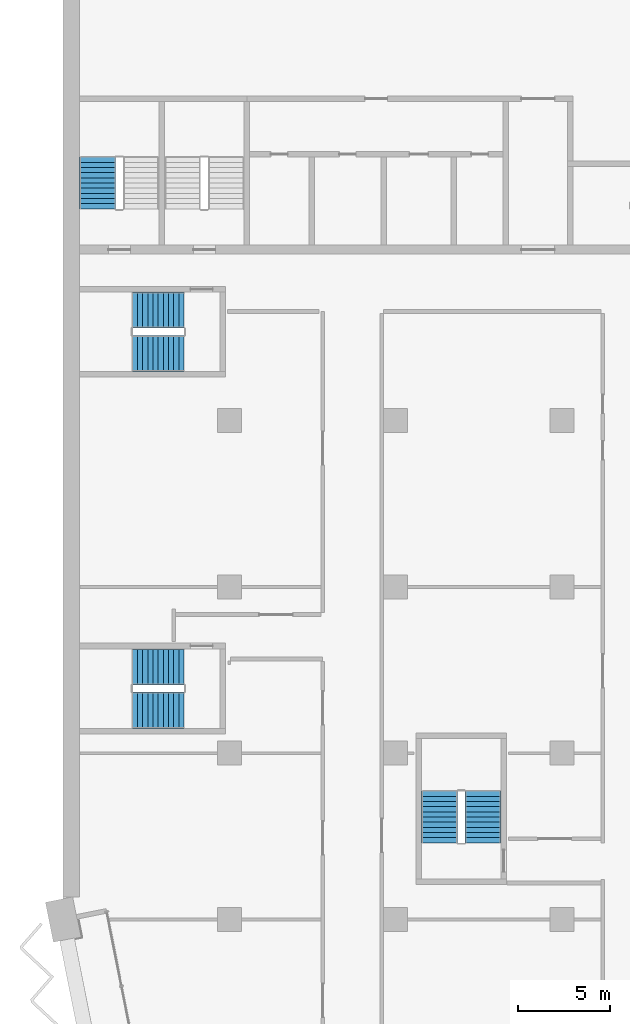
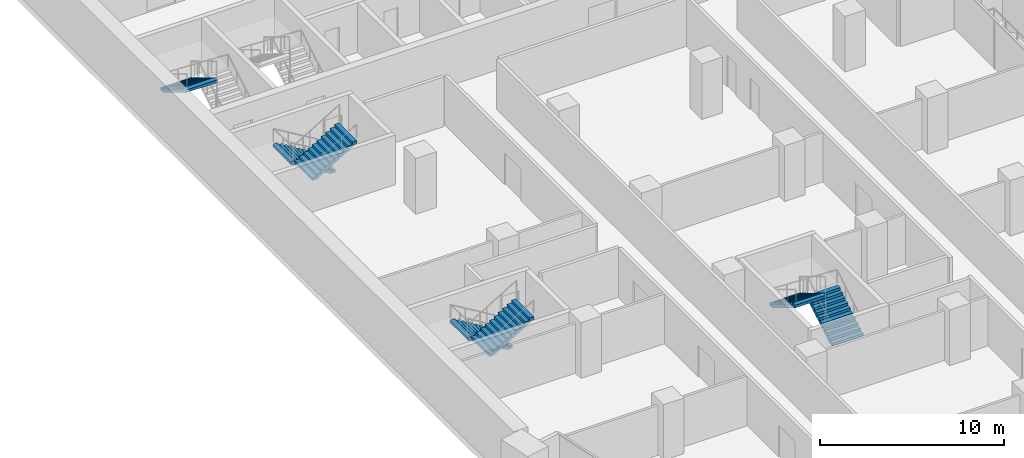
# One storey, part 15 of 22: 7 stair flights, 4 elements without a shape of their own.
"""IFC4 building model written with IfcOpenShell, lengths in metres."""

from ifc_helpers import new_model, si_unit, direction, frame, origin, place, context, subcontext, project, spatial, polyline, outline, extrude, material, type_object, element, aggregate, save


model = new_model("IFC4")

# Units and contexts
model_context = context("Model", 3, precision=1e-05, world=origin(), true_north=direction((0.0, 1.0)))
body_context = subcontext(model_context, "Body", "Model", "MODEL_VIEW")
ifc_project = project(units=[si_unit("LENGTHUNIT", "METRE"), si_unit("AREAUNIT", "SQUARE_METRE"), si_unit("VOLUMEUNIT", "CUBIC_METRE"), si_unit("PLANEANGLEUNIT", "RADIAN"), si_unit("MASSUNIT", "GRAM", prefix="KILO")], contexts=[model_context])

# Site, building, storey
site_placement = place(None, origin())
site = spatial("IfcSite", under=ifc_project, at=site_placement, CompositionType="ELEMENT")
building_placement = place(site_placement, origin())
building = spatial("IfcBuilding", under=site, at=building_placement, Name="Hunhe Ridgeline Campus", CompositionType="ELEMENT")
storey_placement = place(building_placement, frame((0.0, 0.0, 114.39990234375)))
storey = spatial("IfcBuildingStorey", under=building, at=storey_placement, Name="L28", CompositionType="ELEMENT", Elevation=114.39990234375)

# Stair, stair flight
ifc_material = material(Name="Concrete C40", Category="concrete")
stair_type = type_object("IfcStairType", Name="Reinforced concrete dog-leg stair 1950 Concrete C40", PredefinedType="HALF_TURN_STAIR", material=ifc_material)
stair_1_placement = place(storey_placement, origin())
stair_1 = element("IfcStair", 1, at=stair_1_placement, inside=storey, type_object=stair_type, Name="L28 S3", PredefinedType="HALF_TURN_STAIR")
stair_flight_type = type_object("IfcStairFlightType", Name="Reinforced concrete stair flight 1950 Concrete C40", PredefinedType="STRAIGHT", material=ifc_material)
stair_flight_1_placement = place(storey_placement, frame((1.875, 68.25, 1.85009765625), z_axis=(0.0, 0.0, 1.0), x_axis=(0.0, -1.0, 0.0)))
stair_flight_1 = element("IfcStairFlight", 2, at=stair_flight_1_placement, type_object=stair_flight_type, Name="ST3 flight 2", NumberOfRisers=11, NumberOfTreads=10, PredefinedType="STRAIGHT", RiserHeight=0.168181818, TreadLength=0.28, context=body_context, shape_type="SweptSolid", body=[
    extrude(outline(polyline([(0.0, 0.0), (0.0, 0.168212890625), (0.280029296875, 0.168212890625), (0.280029296875, 0.33642578125), (0.56005859375, 0.33642578125), (0.56005859375, 0.504638671875), (0.840087890625, 0.504638671875), (0.840087890625, 0.672607421875), (1.1201171875, 0.672607421875), (1.1201171875, 0.8408203125), (1.39990234375, 0.8408203125), (1.39990234375, 1.009033203125), (1.679931640625, 1.009033203125), (1.679931640625, 1.17724609375), (1.9599609375, 1.17724609375), (1.9599609375, 1.345458984375), (2.239990234375, 1.345458984375), (2.239990234375, 1.513671875), (2.52001953125, 1.513671875), (2.52001953125, 1.681884765625), (2.800048828125, 1.681884765625), (2.800048828125, 1.85009765625), (2.800048828125, 1.5068359375), (0.291015625, 0.0), (0.0, 0.0)])), frame((0.0, 0.97509765625, 0.0), z_axis=(0.0, -1.0, 0.0), x_axis=(1.0, 0.0, 0.0)), (0.0, 0.0, 1.0), 1.949951171875),
    extrude(outline(polyline([(0.030029296875, 0.030029296875), (0.030029296875, 0.13818359375), (0.31005859375, 0.13818359375), (0.31005859375, 0.306396484375), (0.590087890625, 0.306396484375), (0.590087890625, 0.474609375), (0.8701171875, 0.474609375), (0.8701171875, 0.642578125), (1.14990234375, 0.642578125), (1.14990234375, 0.810791015625), (1.429931640625, 0.810791015625), (1.429931640625, 0.97900390625), (1.7099609375, 0.97900390625), (1.7099609375, 1.147216796875), (1.989990234375, 1.147216796875), (1.989990234375, 1.3154296875), (2.27001953125, 1.3154296875), (2.27001953125, 1.483642578125), (2.550048828125, 1.483642578125), (2.550048828125, 1.65185546875), (2.77001953125, 1.65185546875), (2.77001953125, 1.52392578125), (0.28271484375, 0.030029296875), (0.030029296875, 0.030029296875)])), frame((0.0, -0.070068359375, 0.0), z_axis=(0.0, -1.0, 0.0), x_axis=(1.0, 0.0, 0.0)), (0.0, 0.0, 1.0), 0.019775390625),
    extrude(outline(polyline([(0.030029296875, 0.030029296875), (0.030029296875, 0.13818359375), (0.31005859375, 0.13818359375), (0.31005859375, 0.306396484375), (0.590087890625, 0.306396484375), (0.590087890625, 0.474609375), (0.8701171875, 0.474609375), (0.8701171875, 0.642578125), (1.14990234375, 0.642578125), (1.14990234375, 0.810791015625), (1.429931640625, 0.810791015625), (1.429931640625, 0.97900390625), (1.7099609375, 0.97900390625), (1.7099609375, 1.147216796875), (1.989990234375, 1.147216796875), (1.989990234375, 1.3154296875), (2.27001953125, 1.3154296875), (2.27001953125, 1.483642578125), (2.550048828125, 1.483642578125), (2.550048828125, 1.65185546875), (2.77001953125, 1.65185546875), (2.77001953125, 1.52392578125), (0.28271484375, 0.030029296875), (0.030029296875, 0.030029296875)])), frame((0.0, 0.010009765625, 0.0), z_axis=(0.0, -1.0, 0.0), x_axis=(1.0, 0.0, 0.0)), (0.0, 0.0, 1.0), 0.019775390625),
    extrude(outline(polyline([(0.030029296875, 0.030029296875), (0.030029296875, 0.13818359375), (0.31005859375, 0.13818359375), (0.31005859375, 0.306396484375), (0.590087890625, 0.306396484375), (0.590087890625, 0.474609375), (0.8701171875, 0.474609375), (0.8701171875, 0.642578125), (1.14990234375, 0.642578125), (1.14990234375, 0.810791015625), (1.429931640625, 0.810791015625), (1.429931640625, 0.97900390625), (1.7099609375, 0.97900390625), (1.7099609375, 1.147216796875), (1.989990234375, 1.147216796875), (1.989990234375, 1.3154296875), (2.27001953125, 1.3154296875), (2.27001953125, 1.483642578125), (2.550048828125, 1.483642578125), (2.550048828125, 1.65185546875), (2.77001953125, 1.65185546875), (2.77001953125, 1.52392578125), (0.28271484375, 0.030029296875), (0.030029296875, 0.030029296875)])), frame((0.0, 0.090087890625, 0.0), z_axis=(0.0, -1.0, 0.0), x_axis=(1.0, 0.0, 0.0)), (0.0, 0.0, 1.0), 0.019775390625),
])
aggregate(stair_1, [stair_flight_1])

# Stair, stair flights
stair_2_placement = place(storey_placement, origin())
stair_2 = element("IfcStair", 3, at=stair_2_placement, inside=storey, type_object=stair_type, Name="L28 W3", PredefinedType="HALF_TURN_STAIR")
stair_flight_2_placement = place(storey_placement, frame((22.72509765625, 31.14990234375, 0.0), z_axis=(0.0, 0.0, 1.0), x_axis=(0.0, 1.0, 0.0)))
stair_flight_2 = element("IfcStairFlight", 4, at=stair_flight_2_placement, type_object=stair_flight_type, Name="ST9 flight 1", NumberOfRisers=11, NumberOfTreads=10, PredefinedType="STRAIGHT", RiserHeight=0.168181818, TreadLength=0.28, context=body_context, shape_type="SweptSolid", body=[
    extrude(outline(polyline([(0.0, 0.0), (0.0, 0.168212890625), (0.280029296875, 0.168212890625), (0.280029296875, 0.33642578125), (0.56005859375, 0.33642578125), (0.56005859375, 0.504638671875), (0.840087890625, 0.504638671875), (0.840087890625, 0.672607421875), (1.1201171875, 0.672607421875), (1.1201171875, 0.8408203125), (1.39990234375, 0.8408203125), (1.39990234375, 1.009033203125), (1.679931640625, 1.009033203125), (1.679931640625, 1.17724609375), (1.9599609375, 1.17724609375), (1.9599609375, 1.345458984375), (2.239990234375, 1.345458984375), (2.239990234375, 1.513671875), (2.52001953125, 1.513671875), (2.52001953125, 1.681884765625), (2.800048828125, 1.681884765625), (2.800048828125, 1.85009765625), (2.800048828125, 1.5068359375), (0.291015625, 0.0), (0.0, 0.0)])), frame((0.0, 0.97509765625, 0.0), z_axis=(0.0, -1.0, 0.0), x_axis=(1.0, 0.0, 0.0)), (0.0, 0.0, 1.0), 1.949951171875),
    extrude(outline(polyline([(0.030029296875, 0.030029296875), (0.030029296875, 0.13818359375), (0.31005859375, 0.13818359375), (0.31005859375, 0.306396484375), (0.590087890625, 0.306396484375), (0.590087890625, 0.474609375), (0.8701171875, 0.474609375), (0.8701171875, 0.642578125), (1.14990234375, 0.642578125), (1.14990234375, 0.810791015625), (1.429931640625, 0.810791015625), (1.429931640625, 0.97900390625), (1.7099609375, 0.97900390625), (1.7099609375, 1.147216796875), (1.989990234375, 1.147216796875), (1.989990234375, 1.3154296875), (2.27001953125, 1.3154296875), (2.27001953125, 1.483642578125), (2.550048828125, 1.483642578125), (2.550048828125, 1.65185546875), (2.77001953125, 1.65185546875), (2.77001953125, 1.52392578125), (0.28271484375, 0.030029296875), (0.030029296875, 0.030029296875)])), frame((0.0, -0.070068359375, 0.0), z_axis=(0.0, -1.0, 0.0), x_axis=(1.0, 0.0, 0.0)), (0.0, 0.0, 1.0), 0.019775390625),
    extrude(outline(polyline([(0.030029296875, 0.030029296875), (0.030029296875, 0.13818359375), (0.31005859375, 0.13818359375), (0.31005859375, 0.306396484375), (0.590087890625, 0.306396484375), (0.590087890625, 0.474609375), (0.8701171875, 0.474609375), (0.8701171875, 0.642578125), (1.14990234375, 0.642578125), (1.14990234375, 0.810791015625), (1.429931640625, 0.810791015625), (1.429931640625, 0.97900390625), (1.7099609375, 0.97900390625), (1.7099609375, 1.147216796875), (1.989990234375, 1.147216796875), (1.989990234375, 1.3154296875), (2.27001953125, 1.3154296875), (2.27001953125, 1.483642578125), (2.550048828125, 1.483642578125), (2.550048828125, 1.65185546875), (2.77001953125, 1.65185546875), (2.77001953125, 1.52392578125), (0.28271484375, 0.030029296875), (0.030029296875, 0.030029296875)])), frame((0.0, 0.010009765625, 0.0), z_axis=(0.0, -1.0, 0.0), x_axis=(1.0, 0.0, 0.0)), (0.0, 0.0, 1.0), 0.019775390625),
    extrude(outline(polyline([(0.030029296875, 0.030029296875), (0.030029296875, 0.13818359375), (0.31005859375, 0.13818359375), (0.31005859375, 0.306396484375), (0.590087890625, 0.306396484375), (0.590087890625, 0.474609375), (0.8701171875, 0.474609375), (0.8701171875, 0.642578125), (1.14990234375, 0.642578125), (1.14990234375, 0.810791015625), (1.429931640625, 0.810791015625), (1.429931640625, 0.97900390625), (1.7099609375, 0.97900390625), (1.7099609375, 1.147216796875), (1.989990234375, 1.147216796875), (1.989990234375, 1.3154296875), (2.27001953125, 1.3154296875), (2.27001953125, 1.483642578125), (2.550048828125, 1.483642578125), (2.550048828125, 1.65185546875), (2.77001953125, 1.65185546875), (2.77001953125, 1.52392578125), (0.28271484375, 0.030029296875), (0.030029296875, 0.030029296875)])), frame((0.0, 0.090087890625, 0.0), z_axis=(0.0, -1.0, 0.0), x_axis=(1.0, 0.0, 0.0)), (0.0, 0.0, 1.0), 0.019775390625),
])
stair_flight_3_placement = place(storey_placement, frame((20.375, 33.949951171875, 1.85009765625), z_axis=(0.0, 0.0, 1.0), x_axis=(0.0, -1.0, 0.0)))
stair_flight_3 = element("IfcStairFlight", 5, at=stair_flight_3_placement, type_object=stair_flight_type, Name="ST9 flight 2", NumberOfRisers=11, NumberOfTreads=10, PredefinedType="STRAIGHT", RiserHeight=0.168181818, TreadLength=0.28, context=body_context, shape_type="SweptSolid", body=[
    extrude(outline(polyline([(0.0, 0.0), (0.0, 0.168212890625), (0.280029296875, 0.168212890625), (0.280029296875, 0.33642578125), (0.56005859375, 0.33642578125), (0.56005859375, 0.504638671875), (0.840087890625, 0.504638671875), (0.840087890625, 0.672607421875), (1.1201171875, 0.672607421875), (1.1201171875, 0.8408203125), (1.39990234375, 0.8408203125), (1.39990234375, 1.009033203125), (1.679931640625, 1.009033203125), (1.679931640625, 1.17724609375), (1.9599609375, 1.17724609375), (1.9599609375, 1.345458984375), (2.239990234375, 1.345458984375), (2.239990234375, 1.513671875), (2.52001953125, 1.513671875), (2.52001953125, 1.681884765625), (2.800048828125, 1.681884765625), (2.800048828125, 1.85009765625), (2.800048828125, 1.5068359375), (0.291015625, 0.0), (0.0, 0.0)])), frame((0.0, 0.97509765625, 0.0), z_axis=(0.0, -1.0, 0.0), x_axis=(1.0, 0.0, 0.0)), (0.0, 0.0, 1.0), 1.949951171875),
    extrude(outline(polyline([(0.030029296875, 0.030029296875), (0.030029296875, 0.13818359375), (0.31005859375, 0.13818359375), (0.31005859375, 0.306396484375), (0.590087890625, 0.306396484375), (0.590087890625, 0.474609375), (0.8701171875, 0.474609375), (0.8701171875, 0.642578125), (1.14990234375, 0.642578125), (1.14990234375, 0.810791015625), (1.429931640625, 0.810791015625), (1.429931640625, 0.97900390625), (1.7099609375, 0.97900390625), (1.7099609375, 1.147216796875), (1.989990234375, 1.147216796875), (1.989990234375, 1.3154296875), (2.27001953125, 1.3154296875), (2.27001953125, 1.483642578125), (2.550048828125, 1.483642578125), (2.550048828125, 1.65185546875), (2.77001953125, 1.65185546875), (2.77001953125, 1.52392578125), (0.28271484375, 0.030029296875), (0.030029296875, 0.030029296875)])), frame((0.0, -0.070068359375, 0.0), z_axis=(0.0, -1.0, 0.0), x_axis=(1.0, 0.0, 0.0)), (0.0, 0.0, 1.0), 0.019775390625),
    extrude(outline(polyline([(0.030029296875, 0.030029296875), (0.030029296875, 0.13818359375), (0.31005859375, 0.13818359375), (0.31005859375, 0.306396484375), (0.590087890625, 0.306396484375), (0.590087890625, 0.474609375), (0.8701171875, 0.474609375), (0.8701171875, 0.642578125), (1.14990234375, 0.642578125), (1.14990234375, 0.810791015625), (1.429931640625, 0.810791015625), (1.429931640625, 0.97900390625), (1.7099609375, 0.97900390625), (1.7099609375, 1.147216796875), (1.989990234375, 1.147216796875), (1.989990234375, 1.3154296875), (2.27001953125, 1.3154296875), (2.27001953125, 1.483642578125), (2.550048828125, 1.483642578125), (2.550048828125, 1.65185546875), (2.77001953125, 1.65185546875), (2.77001953125, 1.52392578125), (0.28271484375, 0.030029296875), (0.030029296875, 0.030029296875)])), frame((0.0, 0.010009765625, 0.0), z_axis=(0.0, -1.0, 0.0), x_axis=(1.0, 0.0, 0.0)), (0.0, 0.0, 1.0), 0.019775390625),
    extrude(outline(polyline([(0.030029296875, 0.030029296875), (0.030029296875, 0.13818359375), (0.31005859375, 0.13818359375), (0.31005859375, 0.306396484375), (0.590087890625, 0.306396484375), (0.590087890625, 0.474609375), (0.8701171875, 0.474609375), (0.8701171875, 0.642578125), (1.14990234375, 0.642578125), (1.14990234375, 0.810791015625), (1.429931640625, 0.810791015625), (1.429931640625, 0.97900390625), (1.7099609375, 0.97900390625), (1.7099609375, 1.147216796875), (1.989990234375, 1.147216796875), (1.989990234375, 1.3154296875), (2.27001953125, 1.3154296875), (2.27001953125, 1.483642578125), (2.550048828125, 1.483642578125), (2.550048828125, 1.65185546875), (2.77001953125, 1.65185546875), (2.77001953125, 1.52392578125), (0.28271484375, 0.030029296875), (0.030029296875, 0.030029296875)])), frame((0.0, 0.090087890625, 0.0), z_axis=(0.0, -1.0, 0.0), x_axis=(1.0, 0.0, 0.0)), (0.0, 0.0, 1.0), 0.019775390625),
])
aggregate(stair_2, [stair_flight_2, stair_flight_3])

stair_3_placement = place(storey_placement, origin())
stair_3 = element("IfcStair", 6, at=stair_3_placement, inside=storey, type_object=stair_type, Name="L28 W1", PredefinedType="HALF_TURN_STAIR")
stair_flight_4_placement = place(storey_placement, frame((6.550048828125, 40.675048828125, 0.0), z_axis=(0.0, 0.0, 1.0), x_axis=(-1.0, 0.0, 0.0)))
stair_flight_4 = element("IfcStairFlight", 7, at=stair_flight_4_placement, type_object=stair_flight_type, Name="ST11 flight 1", NumberOfRisers=11, NumberOfTreads=10, PredefinedType="STRAIGHT", RiserHeight=0.168181818, TreadLength=0.28, context=body_context, shape_type="SweptSolid", body=[
    extrude(outline(polyline([(0.0, 0.0), (0.0, 0.168212890625), (0.280029296875, 0.168212890625), (0.280029296875, 0.33642578125), (0.56005859375, 0.33642578125), (0.56005859375, 0.504638671875), (0.840087890625, 0.504638671875), (0.840087890625, 0.672607421875), (1.1201171875, 0.672607421875), (1.1201171875, 0.8408203125), (1.39990234375, 0.8408203125), (1.39990234375, 1.009033203125), (1.679931640625, 1.009033203125), (1.679931640625, 1.17724609375), (1.9599609375, 1.17724609375), (1.9599609375, 1.345458984375), (2.239990234375, 1.345458984375), (2.239990234375, 1.513671875), (2.52001953125, 1.513671875), (2.52001953125, 1.681884765625), (2.800048828125, 1.681884765625), (2.800048828125, 1.85009765625), (2.800048828125, 1.5068359375), (0.291015625, 0.0), (0.0, 0.0)])), frame((0.0, 0.97509765625, 0.0), z_axis=(0.0, -1.0, 0.0), x_axis=(1.0, 0.0, 0.0)), (0.0, 0.0, 1.0), 1.949951171875),
    extrude(outline(polyline([(0.030029296875, 0.030029296875), (0.030029296875, 0.13818359375), (0.31005859375, 0.13818359375), (0.31005859375, 0.306396484375), (0.590087890625, 0.306396484375), (0.590087890625, 0.474609375), (0.8701171875, 0.474609375), (0.8701171875, 0.642578125), (1.14990234375, 0.642578125), (1.14990234375, 0.810791015625), (1.429931640625, 0.810791015625), (1.429931640625, 0.97900390625), (1.7099609375, 0.97900390625), (1.7099609375, 1.147216796875), (1.989990234375, 1.147216796875), (1.989990234375, 1.3154296875), (2.27001953125, 1.3154296875), (2.27001953125, 1.483642578125), (2.550048828125, 1.483642578125), (2.550048828125, 1.65185546875), (2.77001953125, 1.65185546875), (2.77001953125, 1.52392578125), (0.28271484375, 0.030029296875), (0.030029296875, 0.030029296875)])), frame((0.0, -0.070068359375, 0.0), z_axis=(0.0, -1.0, 0.0), x_axis=(1.0, 0.0, 0.0)), (0.0, 0.0, 1.0), 0.019775390625),
    extrude(outline(polyline([(0.030029296875, 0.030029296875), (0.030029296875, 0.13818359375), (0.31005859375, 0.13818359375), (0.31005859375, 0.306396484375), (0.590087890625, 0.306396484375), (0.590087890625, 0.474609375), (0.8701171875, 0.474609375), (0.8701171875, 0.642578125), (1.14990234375, 0.642578125), (1.14990234375, 0.810791015625), (1.429931640625, 0.810791015625), (1.429931640625, 0.97900390625), (1.7099609375, 0.97900390625), (1.7099609375, 1.147216796875), (1.989990234375, 1.147216796875), (1.989990234375, 1.3154296875), (2.27001953125, 1.3154296875), (2.27001953125, 1.483642578125), (2.550048828125, 1.483642578125), (2.550048828125, 1.65185546875), (2.77001953125, 1.65185546875), (2.77001953125, 1.52392578125), (0.28271484375, 0.030029296875), (0.030029296875, 0.030029296875)])), frame((0.0, 0.010009765625, 0.0), z_axis=(0.0, -1.0, 0.0), x_axis=(1.0, 0.0, 0.0)), (0.0, 0.0, 1.0), 0.019775390625),
    extrude(outline(polyline([(0.030029296875, 0.030029296875), (0.030029296875, 0.13818359375), (0.31005859375, 0.13818359375), (0.31005859375, 0.306396484375), (0.590087890625, 0.306396484375), (0.590087890625, 0.474609375), (0.8701171875, 0.474609375), (0.8701171875, 0.642578125), (1.14990234375, 0.642578125), (1.14990234375, 0.810791015625), (1.429931640625, 0.810791015625), (1.429931640625, 0.97900390625), (1.7099609375, 0.97900390625), (1.7099609375, 1.147216796875), (1.989990234375, 1.147216796875), (1.989990234375, 1.3154296875), (2.27001953125, 1.3154296875), (2.27001953125, 1.483642578125), (2.550048828125, 1.483642578125), (2.550048828125, 1.65185546875), (2.77001953125, 1.65185546875), (2.77001953125, 1.52392578125), (0.28271484375, 0.030029296875), (0.030029296875, 0.030029296875)])), frame((0.0, 0.090087890625, 0.0), z_axis=(0.0, -1.0, 0.0), x_axis=(1.0, 0.0, 0.0)), (0.0, 0.0, 1.0), 0.019775390625),
])
stair_flight_5_placement = place(storey_placement, frame((3.75, 38.324951171875, 1.85009765625), z_axis=(0.0, 0.0, 1.0), x_axis=(1.0, 0.0, 0.0)))
stair_flight_5 = element("IfcStairFlight", 8, at=stair_flight_5_placement, type_object=stair_flight_type, Name="ST11 flight 2", NumberOfRisers=11, NumberOfTreads=10, PredefinedType="STRAIGHT", RiserHeight=0.168181818, TreadLength=0.28, context=body_context, shape_type="SweptSolid", body=[
    extrude(outline(polyline([(0.0, 0.0), (0.0, 0.168212890625), (0.280029296875, 0.168212890625), (0.280029296875, 0.33642578125), (0.56005859375, 0.33642578125), (0.56005859375, 0.504638671875), (0.840087890625, 0.504638671875), (0.840087890625, 0.672607421875), (1.1201171875, 0.672607421875), (1.1201171875, 0.8408203125), (1.39990234375, 0.8408203125), (1.39990234375, 1.009033203125), (1.679931640625, 1.009033203125), (1.679931640625, 1.17724609375), (1.9599609375, 1.17724609375), (1.9599609375, 1.345458984375), (2.239990234375, 1.345458984375), (2.239990234375, 1.513671875), (2.52001953125, 1.513671875), (2.52001953125, 1.681884765625), (2.800048828125, 1.681884765625), (2.800048828125, 1.85009765625), (2.800048828125, 1.5068359375), (0.291015625, 0.0), (0.0, 0.0)])), frame((0.0, 0.97509765625, 0.0), z_axis=(0.0, -1.0, 0.0), x_axis=(1.0, 0.0, 0.0)), (0.0, 0.0, 1.0), 1.949951171875),
    extrude(outline(polyline([(0.030029296875, 0.030029296875), (0.030029296875, 0.13818359375), (0.31005859375, 0.13818359375), (0.31005859375, 0.306396484375), (0.590087890625, 0.306396484375), (0.590087890625, 0.474609375), (0.8701171875, 0.474609375), (0.8701171875, 0.642578125), (1.14990234375, 0.642578125), (1.14990234375, 0.810791015625), (1.429931640625, 0.810791015625), (1.429931640625, 0.97900390625), (1.7099609375, 0.97900390625), (1.7099609375, 1.147216796875), (1.989990234375, 1.147216796875), (1.989990234375, 1.3154296875), (2.27001953125, 1.3154296875), (2.27001953125, 1.483642578125), (2.550048828125, 1.483642578125), (2.550048828125, 1.65185546875), (2.77001953125, 1.65185546875), (2.77001953125, 1.52392578125), (0.28271484375, 0.030029296875), (0.030029296875, 0.030029296875)])), frame((0.0, -0.070068359375, 0.0), z_axis=(0.0, -1.0, 0.0), x_axis=(1.0, 0.0, 0.0)), (0.0, 0.0, 1.0), 0.019775390625),
    extrude(outline(polyline([(0.030029296875, 0.030029296875), (0.030029296875, 0.13818359375), (0.31005859375, 0.13818359375), (0.31005859375, 0.306396484375), (0.590087890625, 0.306396484375), (0.590087890625, 0.474609375), (0.8701171875, 0.474609375), (0.8701171875, 0.642578125), (1.14990234375, 0.642578125), (1.14990234375, 0.810791015625), (1.429931640625, 0.810791015625), (1.429931640625, 0.97900390625), (1.7099609375, 0.97900390625), (1.7099609375, 1.147216796875), (1.989990234375, 1.147216796875), (1.989990234375, 1.3154296875), (2.27001953125, 1.3154296875), (2.27001953125, 1.483642578125), (2.550048828125, 1.483642578125), (2.550048828125, 1.65185546875), (2.77001953125, 1.65185546875), (2.77001953125, 1.52392578125), (0.28271484375, 0.030029296875), (0.030029296875, 0.030029296875)])), frame((0.0, 0.010009765625, 0.0), z_axis=(0.0, -1.0, 0.0), x_axis=(1.0, 0.0, 0.0)), (0.0, 0.0, 1.0), 0.019775390625),
    extrude(outline(polyline([(0.030029296875, 0.030029296875), (0.030029296875, 0.13818359375), (0.31005859375, 0.13818359375), (0.31005859375, 0.306396484375), (0.590087890625, 0.306396484375), (0.590087890625, 0.474609375), (0.8701171875, 0.474609375), (0.8701171875, 0.642578125), (1.14990234375, 0.642578125), (1.14990234375, 0.810791015625), (1.429931640625, 0.810791015625), (1.429931640625, 0.97900390625), (1.7099609375, 0.97900390625), (1.7099609375, 1.147216796875), (1.989990234375, 1.147216796875), (1.989990234375, 1.3154296875), (2.27001953125, 1.3154296875), (2.27001953125, 1.483642578125), (2.550048828125, 1.483642578125), (2.550048828125, 1.65185546875), (2.77001953125, 1.65185546875), (2.77001953125, 1.52392578125), (0.28271484375, 0.030029296875), (0.030029296875, 0.030029296875)])), frame((0.0, 0.090087890625, 0.0), z_axis=(0.0, -1.0, 0.0), x_axis=(1.0, 0.0, 0.0)), (0.0, 0.0, 1.0), 0.019775390625),
])
aggregate(stair_3, [stair_flight_4, stair_flight_5])

stair_4_placement = place(storey_placement, origin())
stair_4 = element("IfcStair", 9, at=stair_4_placement, inside=storey, type_object=stair_type, Name="L28 W2", PredefinedType="HALF_TURN_STAIR")
stair_flight_6_placement = place(storey_placement, frame((6.550048828125, 59.97509765625, 0.0), z_axis=(0.0, 0.0, 1.0), x_axis=(-1.0, 0.0, 0.0)))
stair_flight_6 = element("IfcStairFlight", 10, at=stair_flight_6_placement, type_object=stair_flight_type, Name="ST12 flight 1", NumberOfRisers=11, NumberOfTreads=10, PredefinedType="STRAIGHT", RiserHeight=0.168181818, TreadLength=0.28, context=body_context, shape_type="SweptSolid", body=[
    extrude(outline(polyline([(0.0, 0.0), (0.0, 0.168212890625), (0.280029296875, 0.168212890625), (0.280029296875, 0.33642578125), (0.56005859375, 0.33642578125), (0.56005859375, 0.504638671875), (0.840087890625, 0.504638671875), (0.840087890625, 0.672607421875), (1.1201171875, 0.672607421875), (1.1201171875, 0.8408203125), (1.39990234375, 0.8408203125), (1.39990234375, 1.009033203125), (1.679931640625, 1.009033203125), (1.679931640625, 1.17724609375), (1.9599609375, 1.17724609375), (1.9599609375, 1.345458984375), (2.239990234375, 1.345458984375), (2.239990234375, 1.513671875), (2.52001953125, 1.513671875), (2.52001953125, 1.681884765625), (2.800048828125, 1.681884765625), (2.800048828125, 1.85009765625), (2.800048828125, 1.5068359375), (0.291015625, 0.0), (0.0, 0.0)])), frame((0.0, 0.97509765625, 0.0), z_axis=(0.0, -1.0, 0.0), x_axis=(1.0, 0.0, 0.0)), (0.0, 0.0, 1.0), 1.949951171875),
    extrude(outline(polyline([(0.030029296875, 0.030029296875), (0.030029296875, 0.13818359375), (0.31005859375, 0.13818359375), (0.31005859375, 0.306396484375), (0.590087890625, 0.306396484375), (0.590087890625, 0.474609375), (0.8701171875, 0.474609375), (0.8701171875, 0.642578125), (1.14990234375, 0.642578125), (1.14990234375, 0.810791015625), (1.429931640625, 0.810791015625), (1.429931640625, 0.97900390625), (1.7099609375, 0.97900390625), (1.7099609375, 1.147216796875), (1.989990234375, 1.147216796875), (1.989990234375, 1.3154296875), (2.27001953125, 1.3154296875), (2.27001953125, 1.483642578125), (2.550048828125, 1.483642578125), (2.550048828125, 1.65185546875), (2.77001953125, 1.65185546875), (2.77001953125, 1.52392578125), (0.28271484375, 0.030029296875), (0.030029296875, 0.030029296875)])), frame((0.0, -0.070068359375, 0.0), z_axis=(0.0, -1.0, 0.0), x_axis=(1.0, 0.0, 0.0)), (0.0, 0.0, 1.0), 0.019775390625),
    extrude(outline(polyline([(0.030029296875, 0.030029296875), (0.030029296875, 0.13818359375), (0.31005859375, 0.13818359375), (0.31005859375, 0.306396484375), (0.590087890625, 0.306396484375), (0.590087890625, 0.474609375), (0.8701171875, 0.474609375), (0.8701171875, 0.642578125), (1.14990234375, 0.642578125), (1.14990234375, 0.810791015625), (1.429931640625, 0.810791015625), (1.429931640625, 0.97900390625), (1.7099609375, 0.97900390625), (1.7099609375, 1.147216796875), (1.989990234375, 1.147216796875), (1.989990234375, 1.3154296875), (2.27001953125, 1.3154296875), (2.27001953125, 1.483642578125), (2.550048828125, 1.483642578125), (2.550048828125, 1.65185546875), (2.77001953125, 1.65185546875), (2.77001953125, 1.52392578125), (0.28271484375, 0.030029296875), (0.030029296875, 0.030029296875)])), frame((0.0, 0.010009765625, 0.0), z_axis=(0.0, -1.0, 0.0), x_axis=(1.0, 0.0, 0.0)), (0.0, 0.0, 1.0), 0.019775390625),
    extrude(outline(polyline([(0.030029296875, 0.030029296875), (0.030029296875, 0.13818359375), (0.31005859375, 0.13818359375), (0.31005859375, 0.306396484375), (0.590087890625, 0.306396484375), (0.590087890625, 0.474609375), (0.8701171875, 0.474609375), (0.8701171875, 0.642578125), (1.14990234375, 0.642578125), (1.14990234375, 0.810791015625), (1.429931640625, 0.810791015625), (1.429931640625, 0.97900390625), (1.7099609375, 0.97900390625), (1.7099609375, 1.147216796875), (1.989990234375, 1.147216796875), (1.989990234375, 1.3154296875), (2.27001953125, 1.3154296875), (2.27001953125, 1.483642578125), (2.550048828125, 1.483642578125), (2.550048828125, 1.65185546875), (2.77001953125, 1.65185546875), (2.77001953125, 1.52392578125), (0.28271484375, 0.030029296875), (0.030029296875, 0.030029296875)])), frame((0.0, 0.090087890625, 0.0), z_axis=(0.0, -1.0, 0.0), x_axis=(1.0, 0.0, 0.0)), (0.0, 0.0, 1.0), 0.019775390625),
])
stair_flight_7_placement = place(storey_placement, frame((3.75, 57.625, 1.85009765625), z_axis=(0.0, 0.0, 1.0), x_axis=(1.0, 0.0, 0.0)))
stair_flight_7 = element("IfcStairFlight", 11, at=stair_flight_7_placement, type_object=stair_flight_type, Name="ST12 flight 2", NumberOfRisers=11, NumberOfTreads=10, PredefinedType="STRAIGHT", RiserHeight=0.168181818, TreadLength=0.28, context=body_context, shape_type="SweptSolid", body=[
    extrude(outline(polyline([(0.0, 0.0), (0.0, 0.168212890625), (0.280029296875, 0.168212890625), (0.280029296875, 0.33642578125), (0.56005859375, 0.33642578125), (0.56005859375, 0.504638671875), (0.840087890625, 0.504638671875), (0.840087890625, 0.672607421875), (1.1201171875, 0.672607421875), (1.1201171875, 0.8408203125), (1.39990234375, 0.8408203125), (1.39990234375, 1.009033203125), (1.679931640625, 1.009033203125), (1.679931640625, 1.17724609375), (1.9599609375, 1.17724609375), (1.9599609375, 1.345458984375), (2.239990234375, 1.345458984375), (2.239990234375, 1.513671875), (2.52001953125, 1.513671875), (2.52001953125, 1.681884765625), (2.800048828125, 1.681884765625), (2.800048828125, 1.85009765625), (2.800048828125, 1.5068359375), (0.291015625, 0.0), (0.0, 0.0)])), frame((0.0, 0.97509765625, 0.0), z_axis=(0.0, -1.0, 0.0), x_axis=(1.0, 0.0, 0.0)), (0.0, 0.0, 1.0), 1.949951171875),
    extrude(outline(polyline([(0.030029296875, 0.030029296875), (0.030029296875, 0.13818359375), (0.31005859375, 0.13818359375), (0.31005859375, 0.306396484375), (0.590087890625, 0.306396484375), (0.590087890625, 0.474609375), (0.8701171875, 0.474609375), (0.8701171875, 0.642578125), (1.14990234375, 0.642578125), (1.14990234375, 0.810791015625), (1.429931640625, 0.810791015625), (1.429931640625, 0.97900390625), (1.7099609375, 0.97900390625), (1.7099609375, 1.147216796875), (1.989990234375, 1.147216796875), (1.989990234375, 1.3154296875), (2.27001953125, 1.3154296875), (2.27001953125, 1.483642578125), (2.550048828125, 1.483642578125), (2.550048828125, 1.65185546875), (2.77001953125, 1.65185546875), (2.77001953125, 1.52392578125), (0.28271484375, 0.030029296875), (0.030029296875, 0.030029296875)])), frame((0.0, -0.070068359375, 0.0), z_axis=(0.0, -1.0, 0.0), x_axis=(1.0, 0.0, 0.0)), (0.0, 0.0, 1.0), 0.019775390625),
    extrude(outline(polyline([(0.030029296875, 0.030029296875), (0.030029296875, 0.13818359375), (0.31005859375, 0.13818359375), (0.31005859375, 0.306396484375), (0.590087890625, 0.306396484375), (0.590087890625, 0.474609375), (0.8701171875, 0.474609375), (0.8701171875, 0.642578125), (1.14990234375, 0.642578125), (1.14990234375, 0.810791015625), (1.429931640625, 0.810791015625), (1.429931640625, 0.97900390625), (1.7099609375, 0.97900390625), (1.7099609375, 1.147216796875), (1.989990234375, 1.147216796875), (1.989990234375, 1.3154296875), (2.27001953125, 1.3154296875), (2.27001953125, 1.483642578125), (2.550048828125, 1.483642578125), (2.550048828125, 1.65185546875), (2.77001953125, 1.65185546875), (2.77001953125, 1.52392578125), (0.28271484375, 0.030029296875), (0.030029296875, 0.030029296875)])), frame((0.0, 0.010009765625, 0.0), z_axis=(0.0, -1.0, 0.0), x_axis=(1.0, 0.0, 0.0)), (0.0, 0.0, 1.0), 0.019775390625),
    extrude(outline(polyline([(0.030029296875, 0.030029296875), (0.030029296875, 0.13818359375), (0.31005859375, 0.13818359375), (0.31005859375, 0.306396484375), (0.590087890625, 0.306396484375), (0.590087890625, 0.474609375), (0.8701171875, 0.474609375), (0.8701171875, 0.642578125), (1.14990234375, 0.642578125), (1.14990234375, 0.810791015625), (1.429931640625, 0.810791015625), (1.429931640625, 0.97900390625), (1.7099609375, 0.97900390625), (1.7099609375, 1.147216796875), (1.989990234375, 1.147216796875), (1.989990234375, 1.3154296875), (2.27001953125, 1.3154296875), (2.27001953125, 1.483642578125), (2.550048828125, 1.483642578125), (2.550048828125, 1.65185546875), (2.77001953125, 1.65185546875), (2.77001953125, 1.52392578125), (0.28271484375, 0.030029296875), (0.030029296875, 0.030029296875)])), frame((0.0, 0.090087890625, 0.0), z_axis=(0.0, -1.0, 0.0), x_axis=(1.0, 0.0, 0.0)), (0.0, 0.0, 1.0), 0.019775390625),
])
aggregate(stair_4, [stair_flight_6, stair_flight_7])

save(model, "model.ifc")
